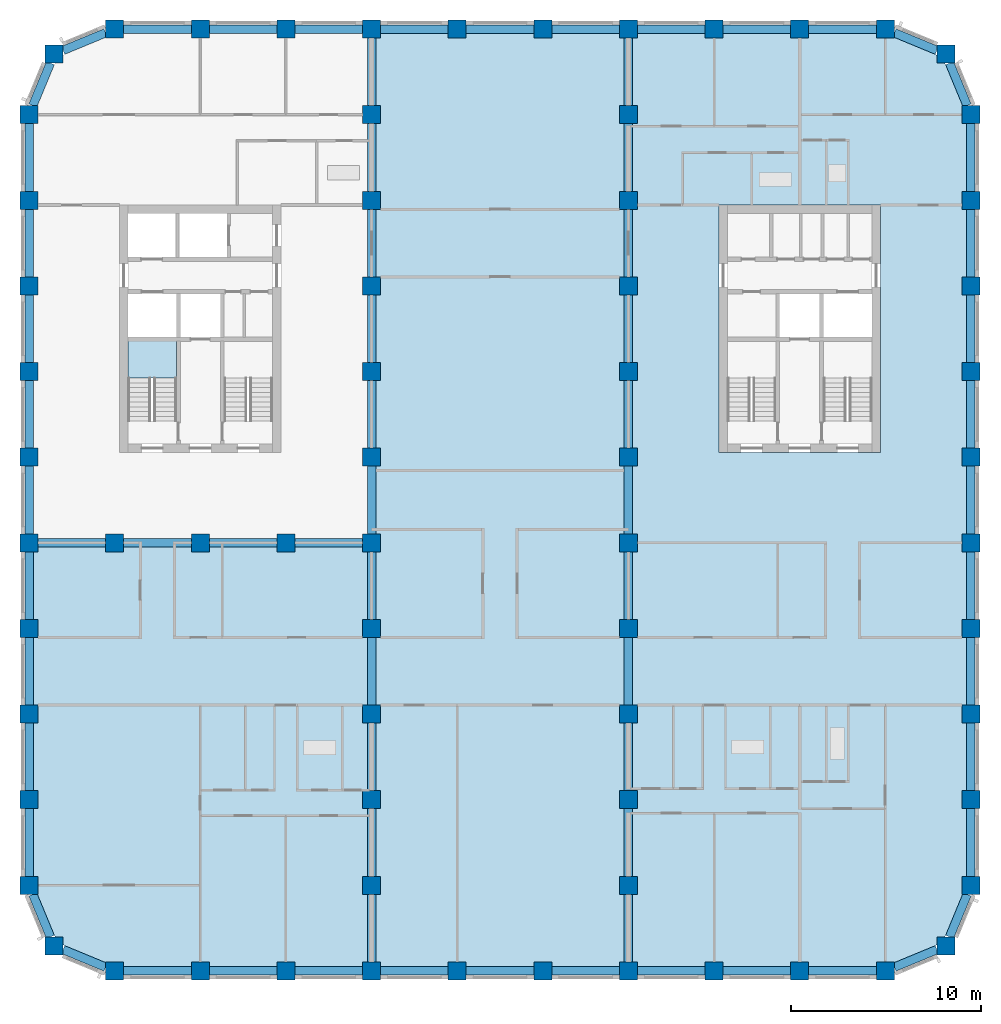
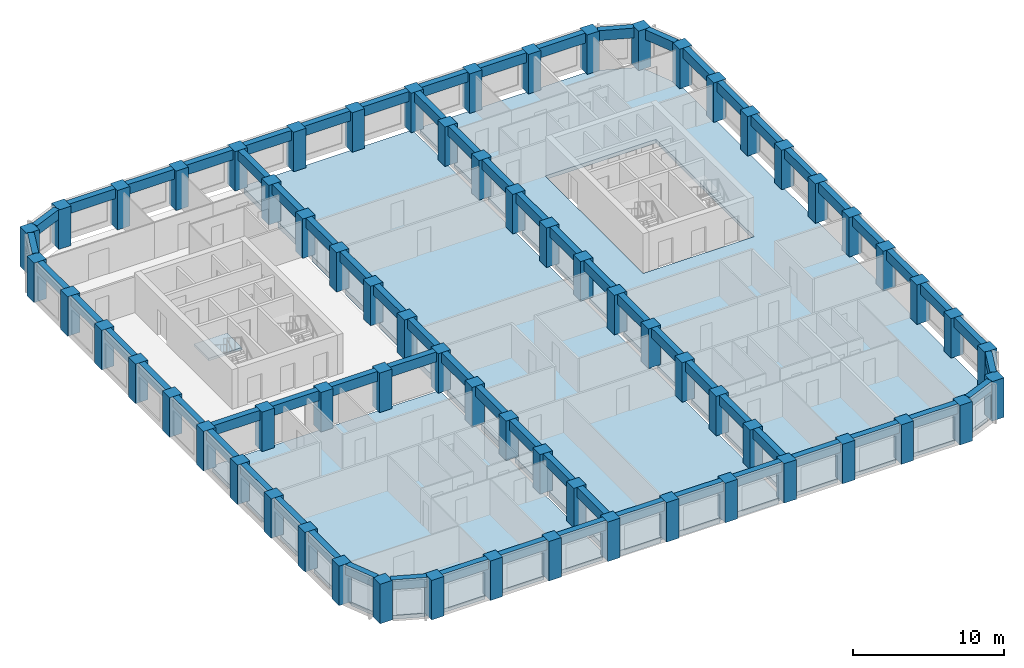
# One storey, part 1 of 12: 70 beams, 67 columns, 4 slabs, 1 element without a shape of its own.
"""IFC4 building model written with IfcOpenShell, lengths in metres."""

from ifc_helpers import new_model, si_unit, direction, frame, origin, origin_2d, place, context, subcontext, project, spatial, polyline, rectangle, outline, extrude, material, layer, layer_set, material_profile, profile_set, type_object, element, aggregate, save


model = new_model("IFC4")

# Units and contexts
model_context = context("Model", 3, precision=1e-05, world=origin(), true_north=direction((0.0, 1.0)))
body_context = subcontext(model_context, "Body", "Model", "MODEL_VIEW")
ifc_project = project(units=[si_unit("LENGTHUNIT", "METRE"), si_unit("AREAUNIT", "SQUARE_METRE"), si_unit("VOLUMEUNIT", "CUBIC_METRE"), si_unit("PLANEANGLEUNIT", "RADIAN"), si_unit("MASSUNIT", "GRAM", prefix="KILO")], contexts=[model_context])

# Site, building, storey
site_placement = place(None, origin())
site = spatial("IfcSite", under=ifc_project, at=site_placement, CompositionType="ELEMENT")
building_placement = place(site_placement, origin())
building = spatial("IfcBuilding", under=site, at=building_placement, Name="Girih Gate Residences", CompositionType="ELEMENT")
storey_placement = place(building_placement, frame((0.0, 0.0, 139.800048828125)))
storey = spatial("IfcBuildingStorey", under=building, at=storey_placement, Name="L39", CompositionType="ELEMENT", Elevation=139.800048828125)

# Columns
ifc_material_1 = material(Name="Concrete C70/85", Category="concrete")
ifc_material_profile_1 = material_profile(ifc_material_1, rectangle(XDim=0.949951171875, YDim=0.949951171875, at=origin_2d()))
ifc_profile_set_1 = profile_set([ifc_material_profile_1], Name="Concrete C70/85")
column_type = type_object("IfcColumnType", Name="Pier RC 950x950 Concrete C70/85", PredefinedType="COLUMN", material=ifc_profile_set_1)
for number, where, z_axis, x_axis, name in (
    (1, (4.5, 0.0, 0.0), (0.0, 0.0, 1.0), (1.0, 0.0, 0.0), "Pier P2A L39"),
    (2, (9.0, 0.0, 0.0), (0.0, 0.0, 1.0), (1.0, 0.0, 0.0), "Pier P3A L39"),
    (3, (13.5, 0.0, 0.0), (0.0, 0.0, 1.0), (1.0, 0.0, 0.0), "Pier P4A L39"),
    (4, (18.0, 0.0, 0.0), (0.0, 0.0, 1.0), (1.0, 0.0, 0.0), "Pier P5A L39"),
    (5, (22.5, 0.0, 0.0), (0.0, 0.0, 1.0), (1.0, 0.0, 0.0), "Pier P6A L39"),
    (6, (27.0, 0.0, 0.0), (0.0, 0.0, 1.0), (1.0, 0.0, 0.0), "Pier P7A L39"),
    (7, (31.5, 0.0, 0.0), (0.0, 0.0, 1.0), (1.0, 0.0, 0.0), "Pier P8A L39"),
    (8, (36.0, 0.0, 0.0), (0.0, 0.0, 1.0), (1.0, 0.0, 0.0), "Pier P9A L39"),
    (9, (40.5, 0.0, 0.0), (0.0, 0.0, 1.0), (1.0, 0.0, 0.0), "Pier P10A L39"),
    (10, (45.0, 0.0, 0.0), (0.0, 0.0, 1.0), (1.0, 0.0, 0.0), "Pier P11A L39"),
    (11, (1.318115234375, 1.318115234375, 0.0), (0.0, 0.0, 1.0), (1.0, 0.0, 0.0), "Pier P1ANE L39"),
    (12, (48.181884765625, 1.318115234375, 0.0), (0.0, 0.0, 1.0), (1.0, 0.0, 0.0), "Pier P12ANW L39"),
    (13, (0.0, 4.5, 0.0), (0.0, 0.0, 1.0), (1.0, 0.0, 0.0), "Pier P1B L39"),
    (14, (18.0, 4.5, 0.0), (0.0, 0.0, 1.0), (1.0, 0.0, 0.0), "Pier P5B L39"),
    (15, (31.5, 4.5, 0.0), (0.0, 0.0, 1.0), (1.0, 0.0, 0.0), "Pier P8B L39"),
    (16, (49.5, 4.5, 0.0), (0.0, 0.0, 1.0), (1.0, 0.0, 0.0), "Pier P12B L39"),
    (17, (0.0, 9.0, 0.0), (0.0, 0.0, 1.0), (1.0, 0.0, 0.0), "Pier P1C L39"),
    (18, (18.0, 9.0, 0.0), (0.0, 0.0, 1.0), (1.0, 0.0, 0.0), "Pier P5C L39"),
    (19, (31.5, 9.0, 0.0), (0.0, 0.0, 1.0), (1.0, 0.0, 0.0), "Pier P8C L39"),
    (20, (49.5, 9.0, 0.0), (0.0, 0.0, 1.0), (1.0, 0.0, 0.0), "Pier P12C L39"),
    (21, (0.0, 13.5, 0.0), (0.0, 0.0, 1.0), (1.0, 0.0, 0.0), "Pier P1D L39"),
    (22, (18.0, 13.5, 0.0), (0.0, 0.0, 1.0), (1.0, 0.0, 0.0), "Pier P5D L39"),
    (23, (31.5, 13.5, 0.0), (0.0, 0.0, 1.0), (1.0, 0.0, 0.0), "Pier P8D L39"),
    (24, (49.5, 13.5, 0.0), (0.0, 0.0, 1.0), (1.0, 0.0, 0.0), "Pier P12D L39"),
    (25, (0.0, 18.0, 0.0), (0.0, 0.0, 1.0), (1.0, 0.0, 0.0), "Pier P1E L39"),
    (26, (18.0, 18.0, 0.0), (0.0, 0.0, 1.0), (1.0, 0.0, 0.0), "Pier P5E L39"),
    (27, (31.5, 18.0, 0.0), (0.0, 0.0, 1.0), (1.0, 0.0, 0.0), "Pier P8E L39"),
    (28, (49.5, 18.0, 0.0), (0.0, 0.0, 1.0), (1.0, 0.0, 0.0), "Pier P12E L39"),
    (29, (0.0, 22.5, 0.0), (0.0, 0.0, 1.0), (1.0, 0.0, 0.0), "Pier P1F L39"),
    (30, (4.5, 22.5, 0.0), (0.0, 0.0, 1.0), (1.0, 0.0, 0.0), "Pier P2F L39"),
    (31, (9.0, 22.5, 0.0), (0.0, 0.0, 1.0), (1.0, 0.0, 0.0), "Pier P3F L39"),
    (32, (13.5, 22.5, 0.0), (0.0, 0.0, 1.0), (1.0, 0.0, 0.0), "Pier P4F L39"),
    (33, (18.0, 22.5, 0.0), (0.0, 0.0, 1.0), (1.0, 0.0, 0.0), "Pier P5F L39"),
    (34, (31.5, 22.5, 0.0), (0.0, 0.0, 1.0), (1.0, 0.0, 0.0), "Pier P8F L39"),
    (35, (49.5, 22.5, 0.0), (0.0, 0.0, 1.0), (1.0, 0.0, 0.0), "Pier P12F L39"),
    (36, (0.0, 27.0, 0.0), (0.0, 0.0, 1.0), (1.0, 0.0, 0.0), "Pier P1G L39"),
    (37, (18.0, 27.0, 0.0), (0.0, 0.0, 1.0), (1.0, 0.0, 0.0), "Pier P5G L39"),
    (38, (31.5, 27.0, 0.0), (0.0, 0.0, 1.0), (1.0, 0.0, 0.0), "Pier P8G L39"),
    (39, (49.5, 27.0, 0.0), (0.0, 0.0, 1.0), (1.0, 0.0, 0.0), "Pier P12G L39"),
    (40, (0.0, 31.5, 0.0), (0.0, 0.0, 1.0), (1.0, 0.0, 0.0), "Pier P1H L39"),
    (41, (18.0, 31.5, 0.0), (0.0, 0.0, 1.0), (1.0, 0.0, 0.0), "Pier P5H L39"),
    (42, (31.5, 31.5, 0.0), (0.0, 0.0, 1.0), (1.0, 0.0, 0.0), "Pier P8H L39"),
    (43, (49.5, 31.5, 0.0), (0.0, 0.0, 1.0), (1.0, 0.0, 0.0), "Pier P12H L39"),
    (44, (0.0, 36.0, 0.0), (0.0, 0.0, 1.0), (1.0, 0.0, 0.0), "Pier P1I L39"),
    (45, (18.0, 36.0, 0.0), (0.0, 0.0, 1.0), (1.0, 0.0, 0.0), "Pier P5I L39"),
    (46, (31.5, 36.0, 0.0), (0.0, 0.0, 1.0), (1.0, 0.0, 0.0), "Pier P8I L39"),
    (47, (49.5, 36.0, 0.0), (0.0, 0.0, 1.0), (1.0, 0.0, 0.0), "Pier P12I L39"),
    (48, (0.0, 40.5, 0.0), (0.0, 0.0, 1.0), (1.0, 0.0, 0.0), "Pier P1J L39"),
    (49, (18.0, 40.5, 0.0), (0.0, 0.0, 1.0), (1.0, 0.0, 0.0), "Pier P5J L39"),
    (50, (31.5, 40.5, 0.0), (0.0, 0.0, 1.0), (1.0, 0.0, 0.0), "Pier P8J L39"),
    (51, (49.5, 40.5, 0.0), (0.0, 0.0, 1.0), (1.0, 0.0, 0.0), "Pier P12J L39"),
    (52, (0.0, 45.0, 0.0), (0.0, 0.0, 1.0), (1.0, 0.0, 0.0), "Pier P1K L39"),
    (53, (18.0, 45.0, 0.0), (0.0, 0.0, 1.0), (1.0, 0.0, 0.0), "Pier P5K L39"),
    (54, (31.5, 45.0, 0.0), (0.0, 0.0, 1.0), (1.0, 0.0, 0.0), "Pier P8K L39"),
    (55, (49.5, 45.0, 0.0), (0.0, 0.0, 1.0), (1.0, 0.0, 0.0), "Pier P12K L39"),
    (56, (1.318115234375, 48.181884765625, 0.0), (0.0, 0.0, 1.0), (1.0, 0.0, 0.0), "Pier P1LSE L39"),
    (57, (48.181884765625, 48.181884765625, 0.0), (0.0, 0.0, 1.0), (1.0, 0.0, 0.0), "Pier P12LSW L39"),
    (58, (4.5, 49.5, 0.0), (0.0, 0.0, 1.0), (1.0, 0.0, 0.0), "Pier P2L L39"),
    (59, (9.0, 49.5, 0.0), (0.0, 0.0, 1.0), (1.0, 0.0, 0.0), "Pier P3L L39"),
    (60, (13.5, 49.5, 0.0), (0.0, 0.0, 1.0), (1.0, 0.0, 0.0), "Pier P4L L39"),
    (61, (18.0, 49.5, 0.0), (0.0, 0.0, 1.0), (1.0, 0.0, 0.0), "Pier P5L L39"),
    (62, (22.5, 49.5, 0.0), (0.0, 0.0, 1.0), (1.0, 0.0, 0.0), "Pier P6L L39"),
    (63, (27.0, 49.5, 0.0), (0.0, 0.0, 1.0), (1.0, 0.0, 0.0), "Pier P7L L39"),
    (64, (31.5, 49.5, 0.0), (0.0, 0.0, 1.0), (1.0, 0.0, 0.0), "Pier P8L L39"),
    (65, (36.0, 49.5, 0.0), (0.0, 0.0, 1.0), (1.0, 0.0, 0.0), "Pier P9L L39"),
    (66, (40.5, 49.5, 0.0), (0.0, 0.0, 1.0), (1.0, 0.0, 0.0), "Pier P10L L39"),
    (67, (45.0, 49.5, 0.0), (0.0, 0.0, 1.0), (1.0, 0.0, 0.0), "Pier P11L L39"),
):
    element("IfcColumn", number, at=place(storey_placement, frame(where, z_axis=z_axis, x_axis=x_axis)), inside=storey, type_object=column_type, Name=name, PredefinedType="COLUMN", context=body_context, shape_type="SweptSolid", body=[
        extrude(rectangle(XDim=0.949951171875, YDim=0.949951171875, at=origin_2d()), origin(), (0.0, 0.0, 1.0), 3.199951171875),
    ])

# Beams
ifc_material_2 = material(Name="Concrete C60/75", Category="concrete")
ifc_material_profile_2 = material_profile(ifc_material_2, rectangle(XDim=0.449951171875, YDim=0.800048828125, at=origin_2d()))
ifc_profile_set_2 = profile_set([ifc_material_profile_2], Name="Concrete C60/75")
beam_type = type_object("IfcBeamType", Name="Spandrel girder RC 450x800 Concrete C60/75", PredefinedType="BEAM", material=ifc_profile_set_2)
for number, where, z_axis, x_axis, name in (
    (68, (0.19677734375, 4.02490234375, 2.800048828125), (0.382705825988, -0.923870256451, 0.0), (0.923870256451, 0.382705825988, 0.0), "Spandrel girder SP-P1B-P1ANE L39"),
    (69, (1.79296875, 1.121337890625, 2.800048828125), (0.923870256451, -0.382705825988, 0.0), (0.382705825988, 0.923870256451, 0.0), "Spandrel girder SP-P1ANE-P2A L39"),
):
    element("IfcBeam", number, at=place(storey_placement, frame(where, z_axis=z_axis, x_axis=x_axis)), inside=storey, type_object=beam_type, Name=name, PredefinedType="BEAM", context=body_context, shape_type="SweptSolid", body=[
        extrude(rectangle(XDim=0.449951171875, YDim=0.800048828125, at=origin_2d()), origin(), (0.0, 0.0, 1.0), 2.415771484375),
    ])
for number, where, z_axis, x_axis, name in (
    (70, (4.97509765625, 0.0, 2.800048828125), (1.0, 0.0, 0.0), (0.0, 1.0, 0.0), "Spandrel girder SP-P2A-P3A L39"),
    (71, (9.47509765625, 0.0, 2.800048828125), (1.0, 0.0, 0.0), (0.0, 1.0, 0.0), "Spandrel girder SP-P3A-P4A L39"),
    (72, (13.97509765625, 0.0, 2.800048828125), (1.0, 0.0, 0.0), (0.0, 1.0, 0.0), "Spandrel girder SP-P4A-P5A L39"),
    (73, (18.47509765625, 0.0, 2.800048828125), (1.0, 0.0, 0.0), (0.0, 1.0, 0.0), "Spandrel girder SP-P5A-P6A L39"),
    (74, (22.97509765625, 0.0, 2.800048828125), (1.0, 0.0, 0.0), (0.0, 1.0, 0.0), "Spandrel girder SP-P6A-P7A L39"),
    (75, (27.47509765625, 0.0, 2.800048828125), (1.0, 0.0, 0.0), (0.0, 1.0, 0.0), "Spandrel girder SP-P7A-P8A L39"),
    (76, (31.97509765625, 0.0, 2.800048828125), (1.0, 0.0, 0.0), (0.0, 1.0, 0.0), "Spandrel girder SP-P8A-P9A L39"),
    (77, (36.47509765625, 0.0, 2.800048828125), (1.0, 0.0, 0.0), (0.0, 1.0, 0.0), "Spandrel girder SP-P9A-P10A L39"),
    (78, (40.97509765625, 0.0, 2.800048828125), (1.0, 0.0, 0.0), (0.0, 1.0, 0.0), "Spandrel girder SP-P10A-P11A L39"),
):
    element("IfcBeam", number, at=place(storey_placement, frame(where, z_axis=z_axis, x_axis=x_axis)), inside=storey, type_object=beam_type, Name=name, PredefinedType="BEAM", context=body_context, shape_type="SweptSolid", body=[
        extrude(rectangle(XDim=0.449951171875, YDim=0.800048828125, at=origin_2d()), origin(), (0.0, 0.0, 1.0), 3.5498046875),
    ])
for number, where, z_axis, x_axis, name in (
    (79, (45.47509765625, 0.19677734375, 2.800048828125), (0.923870256451, 0.382705825988, 0.0), (-0.382705825988, 0.923870256451, 0.0), "Spandrel girder SP-P11A-P12ANW L39"),
    (80, (48.378662109375, 1.79296875, 2.800048828125), (0.382705825988, 0.923870256451, 0.0), (-0.923870256451, 0.382705825988, 0.0), "Spandrel girder SP-P12ANW-P12B L39"),
):
    element("IfcBeam", number, at=place(storey_placement, frame(where, z_axis=z_axis, x_axis=x_axis)), inside=storey, type_object=beam_type, Name=name, PredefinedType="BEAM", context=body_context, shape_type="SweptSolid", body=[
        extrude(rectangle(XDim=0.449951171875, YDim=0.800048828125, at=origin_2d()), origin(), (0.0, 0.0, 1.0), 2.415771484375),
    ])
for number, where, z_axis, x_axis, name in (
    (81, (49.5, 4.97509765625, 2.800048828125), (0.0, 1.0, 0.0), (-1.0, 0.0, 0.0), "Spandrel girder SP-P12B-P12C L39"),
    (82, (49.5, 9.47509765625, 2.800048828125), (0.0, 1.0, 0.0), (-1.0, 0.0, 0.0), "Spandrel girder SP-P12C-P12D L39"),
    (83, (49.5, 13.97509765625, 2.800048828125), (0.0, 1.0, 0.0), (-1.0, 0.0, 0.0), "Spandrel girder SP-P12D-P12E L39"),
    (84, (49.5, 18.47509765625, 2.800048828125), (0.0, 1.0, 0.0), (-1.0, 0.0, 0.0), "Spandrel girder SP-P12E-P12F L39"),
    (85, (49.5, 22.97509765625, 2.800048828125), (0.0, 1.0, 0.0), (-1.0, 0.0, 0.0), "Spandrel girder SP-P12F-P12G L39"),
    (86, (49.5, 27.47509765625, 2.800048828125), (0.0, 1.0, 0.0), (-1.0, 0.0, 0.0), "Spandrel girder SP-P12G-P12H L39"),
    (87, (49.5, 31.97509765625, 2.800048828125), (0.0, 1.0, 0.0), (-1.0, 0.0, 0.0), "Spandrel girder SP-P12H-P12I L39"),
    (88, (49.5, 36.47509765625, 2.800048828125), (0.0, 1.0, 0.0), (-1.0, 0.0, 0.0), "Spandrel girder SP-P12I-P12J L39"),
    (89, (49.5, 40.97509765625, 2.800048828125), (0.0, 1.0, 0.0), (-1.0, 0.0, 0.0), "Spandrel girder SP-P12J-P12K L39"),
):
    element("IfcBeam", number, at=place(storey_placement, frame(where, z_axis=z_axis, x_axis=x_axis)), inside=storey, type_object=beam_type, Name=name, PredefinedType="BEAM", context=body_context, shape_type="SweptSolid", body=[
        extrude(rectangle(XDim=0.449951171875, YDim=0.800048828125, at=origin_2d()), origin(), (0.0, 0.0, 1.0), 3.5498046875),
    ])
for number, where, z_axis, x_axis, name in (
    (90, (49.30322265625, 45.47509765625, 2.800048828125), (-0.382705825988, 0.923870256451, 0.0), (-0.923870256451, -0.382705825988, 0.0), "Spandrel girder SP-P12K-P12LSW L39"),
    (91, (47.70703125, 48.378662109375, 2.800048828125), (-0.923870256451, 0.382705825988, 0.0), (-0.382705825988, -0.923870256451, 0.0), "Spandrel girder SP-P12LSW-P11L L39"),
):
    element("IfcBeam", number, at=place(storey_placement, frame(where, z_axis=z_axis, x_axis=x_axis)), inside=storey, type_object=beam_type, Name=name, PredefinedType="BEAM", context=body_context, shape_type="SweptSolid", body=[
        extrude(rectangle(XDim=0.449951171875, YDim=0.800048828125, at=origin_2d()), origin(), (0.0, 0.0, 1.0), 2.415771484375),
    ])
for number, where, z_axis, x_axis, name in (
    (92, (44.52490234375, 49.5, 2.800048828125), (-1.0, 0.0, 0.0), (0.0, -1.0, 0.0), "Spandrel girder SP-P11L-P10L L39"),
    (93, (40.02490234375, 49.5, 2.800048828125), (-1.0, 0.0, 0.0), (0.0, -1.0, 0.0), "Spandrel girder SP-P10L-P9L L39"),
    (94, (35.52490234375, 49.5, 2.800048828125), (-1.0, 0.0, 0.0), (0.0, -1.0, 0.0), "Spandrel girder SP-P9L-P8L L39"),
    (95, (31.02490234375, 49.5, 2.800048828125), (-1.0, 0.0, 0.0), (0.0, -1.0, 0.0), "Spandrel girder SP-P8L-P7L L39"),
    (96, (26.52490234375, 49.5, 2.800048828125), (-1.0, 0.0, 0.0), (0.0, -1.0, 0.0), "Spandrel girder SP-P7L-P6L L39"),
    (97, (22.02490234375, 49.5, 2.800048828125), (-1.0, 0.0, 0.0), (0.0, -1.0, 0.0), "Spandrel girder SP-P6L-P5L L39"),
    (98, (17.52490234375, 49.5, 2.800048828125), (-1.0, 0.0, 0.0), (0.0, -1.0, 0.0), "Spandrel girder SP-P5L-P4L L39"),
    (99, (13.02490234375, 49.5, 2.800048828125), (-1.0, 0.0, 0.0), (0.0, -1.0, 0.0), "Spandrel girder SP-P4L-P3L L39"),
    (100, (8.52490234375, 49.5, 2.800048828125), (-1.0, 0.0, 0.0), (0.0, -1.0, 0.0), "Spandrel girder SP-P3L-P2L L39"),
):
    element("IfcBeam", number, at=place(storey_placement, frame(where, z_axis=z_axis, x_axis=x_axis)), inside=storey, type_object=beam_type, Name=name, PredefinedType="BEAM", context=body_context, shape_type="SweptSolid", body=[
        extrude(rectangle(XDim=0.449951171875, YDim=0.800048828125, at=origin_2d()), origin(), (0.0, 0.0, 1.0), 3.5498046875),
    ])
for number, where, z_axis, x_axis, name in (
    (101, (4.02490234375, 49.30322265625, 2.800048828125), (-0.923870256451, -0.382705825988, 0.0), (0.382705825988, -0.923870256451, 0.0), "Spandrel girder SP-P2L-P1LSE L39"),
    (102, (1.121337890625, 47.70703125, 2.800048828125), (-0.382705825988, -0.923870256451, 0.0), (0.923870256451, -0.382705825988, 0.0), "Spandrel girder SP-P1LSE-P1K L39"),
):
    element("IfcBeam", number, at=place(storey_placement, frame(where, z_axis=z_axis, x_axis=x_axis)), inside=storey, type_object=beam_type, Name=name, PredefinedType="BEAM", context=body_context, shape_type="SweptSolid", body=[
        extrude(rectangle(XDim=0.449951171875, YDim=0.800048828125, at=origin_2d()), origin(), (0.0, 0.0, 1.0), 2.415771484375),
    ])
for number, where, z_axis, x_axis, name in (
    (103, (0.0, 44.52490234375, 2.800048828125), (0.0, -1.0, 0.0), (1.0, 0.0, 0.0), "Spandrel girder SP-P1K-P1J L39"),
    (104, (0.0, 40.02490234375, 2.800048828125), (0.0, -1.0, 0.0), (1.0, 0.0, 0.0), "Spandrel girder SP-P1J-P1I L39"),
    (105, (0.0, 35.52490234375, 2.800048828125), (0.0, -1.0, 0.0), (1.0, 0.0, 0.0), "Spandrel girder SP-P1I-P1H L39"),
    (106, (0.0, 31.02490234375, 2.800048828125), (0.0, -1.0, 0.0), (1.0, 0.0, 0.0), "Spandrel girder SP-P1H-P1G L39"),
    (107, (0.0, 26.52490234375, 2.800048828125), (0.0, -1.0, 0.0), (1.0, 0.0, 0.0), "Spandrel girder SP-P1G-P1F L39"),
    (108, (0.0, 22.02490234375, 2.800048828125), (0.0, -1.0, 0.0), (1.0, 0.0, 0.0), "Spandrel girder SP-P1F-P1E L39"),
    (109, (0.0, 17.52490234375, 2.800048828125), (0.0, -1.0, 0.0), (1.0, 0.0, 0.0), "Spandrel girder SP-P1E-P1D L39"),
    (110, (0.0, 13.02490234375, 2.800048828125), (0.0, -1.0, 0.0), (1.0, 0.0, 0.0), "Spandrel girder SP-P1D-P1C L39"),
    (111, (0.0, 8.52490234375, 2.800048828125), (0.0, -1.0, 0.0), (1.0, 0.0, 0.0), "Spandrel girder SP-P1C-P1B L39"),
    (112, (18.0, 0.47509765625, 2.800048828125), (0.0, 1.0, 0.0), (-1.0, 0.0, 0.0), "Spandrel girder SP-P5A-P5B L39"),
    (113, (18.0, 4.97509765625, 2.800048828125), (0.0, 1.0, 0.0), (-1.0, 0.0, 0.0), "Spandrel girder SP-P5B-P5C L39"),
    (114, (18.0, 9.47509765625, 2.800048828125), (0.0, 1.0, 0.0), (-1.0, 0.0, 0.0), "Spandrel girder SP-P5C-P5D L39"),
    (115, (18.0, 13.97509765625, 2.800048828125), (0.0, 1.0, 0.0), (-1.0, 0.0, 0.0), "Spandrel girder SP-P5D-P5E L39"),
    (116, (18.0, 18.47509765625, 2.800048828125), (0.0, 1.0, 0.0), (-1.0, 0.0, 0.0), "Spandrel girder SP-P5E-P5F L39"),
    (117, (18.0, 22.97509765625, 2.800048828125), (0.0, 1.0, 0.0), (-1.0, 0.0, 0.0), "Spandrel girder SP-P5F-P5G L39"),
    (118, (18.0, 27.47509765625, 2.800048828125), (0.0, 1.0, 0.0), (-1.0, 0.0, 0.0), "Spandrel girder SP-P5G-P5H L39"),
    (119, (18.0, 31.97509765625, 2.800048828125), (0.0, 1.0, 0.0), (-1.0, 0.0, 0.0), "Spandrel girder SP-P5H-P5I L39"),
    (120, (18.0, 36.47509765625, 2.800048828125), (0.0, 1.0, 0.0), (-1.0, 0.0, 0.0), "Spandrel girder SP-P5I-P5J L39"),
    (121, (18.0, 40.97509765625, 2.800048828125), (0.0, 1.0, 0.0), (-1.0, 0.0, 0.0), "Spandrel girder SP-P5J-P5K L39"),
    (122, (18.0, 45.47509765625, 2.800048828125), (0.0, 1.0, 0.0), (-1.0, 0.0, 0.0), "Spandrel girder SP-P5K-P5L L39"),
    (123, (31.5, 0.47509765625, 2.800048828125), (0.0, 1.0, 0.0), (-1.0, 0.0, 0.0), "Spandrel girder SP-P8A-P8B L39"),
    (124, (31.5, 4.97509765625, 2.800048828125), (0.0, 1.0, 0.0), (-1.0, 0.0, 0.0), "Spandrel girder SP-P8B-P8C L39"),
    (125, (31.5, 9.47509765625, 2.800048828125), (0.0, 1.0, 0.0), (-1.0, 0.0, 0.0), "Spandrel girder SP-P8C-P8D L39"),
    (126, (31.5, 13.97509765625, 2.800048828125), (0.0, 1.0, 0.0), (-1.0, 0.0, 0.0), "Spandrel girder SP-P8D-P8E L39"),
    (127, (31.5, 18.47509765625, 2.800048828125), (0.0, 1.0, 0.0), (-1.0, 0.0, 0.0), "Spandrel girder SP-P8E-P8F L39"),
    (128, (31.5, 22.97509765625, 2.800048828125), (0.0, 1.0, 0.0), (-1.0, 0.0, 0.0), "Spandrel girder SP-P8F-P8G L39"),
    (129, (31.5, 27.47509765625, 2.800048828125), (0.0, 1.0, 0.0), (-1.0, 0.0, 0.0), "Spandrel girder SP-P8G-P8H L39"),
    (130, (31.5, 31.97509765625, 2.800048828125), (0.0, 1.0, 0.0), (-1.0, 0.0, 0.0), "Spandrel girder SP-P8H-P8I L39"),
    (131, (31.5, 36.47509765625, 2.800048828125), (0.0, 1.0, 0.0), (-1.0, 0.0, 0.0), "Spandrel girder SP-P8I-P8J L39"),
    (132, (31.5, 40.97509765625, 2.800048828125), (0.0, 1.0, 0.0), (-1.0, 0.0, 0.0), "Spandrel girder SP-P8J-P8K L39"),
    (133, (31.5, 45.47509765625, 2.800048828125), (0.0, 1.0, 0.0), (-1.0, 0.0, 0.0), "Spandrel girder SP-P8K-P8L L39"),
    (134, (0.47509765625, 22.5, 2.800048828125), (1.0, 0.0, 0.0), (0.0, 1.0, 0.0), "Spandrel girder SP-P1F-P2F L39"),
    (135, (4.97509765625, 22.5, 2.800048828125), (1.0, 0.0, 0.0), (0.0, 1.0, 0.0), "Spandrel girder SP-P2F-P3F L39"),
    (136, (9.47509765625, 22.5, 2.800048828125), (1.0, 0.0, 0.0), (0.0, 1.0, 0.0), "Spandrel girder SP-P3F-P4F L39"),
    (137, (13.97509765625, 22.5, 2.800048828125), (1.0, 0.0, 0.0), (0.0, 1.0, 0.0), "Spandrel girder SP-P4F-P5F L39"),
):
    element("IfcBeam", number, at=place(storey_placement, frame(where, z_axis=z_axis, x_axis=x_axis)), inside=storey, type_object=beam_type, Name=name, PredefinedType="BEAM", context=body_context, shape_type="SweptSolid", body=[
        extrude(rectangle(XDim=0.449951171875, YDim=0.800048828125, at=origin_2d()), origin(), (0.0, 0.0, 1.0), 3.5498046875),
    ])

# Slabs
ifc_material_3 = material(Name="Concrete C40/50", Category="concrete")
ifc_layer_1 = layer(ifc_material_3, 0.300048828125)
ifc_layer_set_1 = layer_set([ifc_layer_1], Name="Floor slab PT 300 Concrete C40/50")
slab_type_1 = type_object("IfcSlabType", Name="Floor slab PT 300 Concrete C40/50", PredefinedType="FLOOR", material=ifc_layer_set_1)
slab_1_placement = place(storey_placement, frame((0.0, 0.0, -0.300048828125)))
element("IfcSlab", 138, at=slab_1_placement, inside=storey, type_object=slab_type_1, Name="Floor slab L39 0", PredefinedType="FLOOR", context=body_context, shape_type="SweptSolid", body=[
    extrude(outline(polyline([(0.22509765625, 8.52490234375), (0.22509765625, 4.97509765625), (0.47509765625, 4.97509765625), (0.47509765625, 4.02490234375), (0.440185546875, 4.02490234375), (1.36474609375, 1.79296875), (1.79296875, 1.79296875), (1.79296875, 1.36474609375), (4.02490234375, 0.440185546875), (4.02490234375, 0.47509765625), (4.97509765625, 0.47509765625), (4.97509765625, 0.22509765625), (8.52490234375, 0.22509765625), (8.52490234375, 0.47509765625), (9.47509765625, 0.47509765625), (9.47509765625, 0.22509765625), (13.02490234375, 0.22509765625), (13.02490234375, 0.47509765625), (13.97509765625, 0.47509765625), (13.97509765625, 0.22509765625), (17.52490234375, 0.22509765625), (17.52490234375, 0.47509765625), (17.77490234375, 0.47509765625), (17.77490234375, 4.02490234375), (17.52490234375, 4.02490234375), (17.52490234375, 4.97509765625), (17.77490234375, 4.97509765625), (17.77490234375, 8.52490234375), (17.52490234375, 8.52490234375), (17.52490234375, 9.47509765625), (17.77490234375, 9.47509765625), (17.77490234375, 13.02490234375), (17.52490234375, 13.02490234375), (17.52490234375, 13.97509765625), (17.77490234375, 13.97509765625), (17.77490234375, 17.52490234375), (17.52490234375, 17.52490234375), (17.52490234375, 18.47509765625), (17.77490234375, 18.47509765625), (17.77490234375, 22.02490234375), (17.52490234375, 22.02490234375), (17.52490234375, 22.27490234375), (13.97509765625, 22.27490234375), (13.97509765625, 22.02490234375), (13.02490234375, 22.02490234375), (13.02490234375, 22.27490234375), (9.47509765625, 22.27490234375), (9.47509765625, 22.02490234375), (8.52490234375, 22.02490234375), (8.52490234375, 22.27490234375), (4.97509765625, 22.27490234375), (4.97509765625, 22.02490234375), (4.02490234375, 22.02490234375), (4.02490234375, 22.27490234375), (0.47509765625, 22.27490234375), (0.47509765625, 22.02490234375), (0.22509765625, 22.02490234375), (0.22509765625, 18.47509765625), (0.47509765625, 18.47509765625), (0.47509765625, 17.52490234375), (0.22509765625, 17.52490234375), (0.22509765625, 13.97509765625), (0.47509765625, 13.97509765625), (0.47509765625, 13.02490234375), (0.22509765625, 13.02490234375), (0.22509765625, 9.47509765625), (0.47509765625, 9.47509765625), (0.47509765625, 8.52490234375), (0.22509765625, 8.52490234375)])), origin(), (0.0, 0.0, 1.0), 0.300048828125),
])
slab_2_placement = place(storey_placement, frame((0.0, 0.0, -0.300048828125)))
element("IfcSlab", 139, at=slab_2_placement, inside=storey, type_object=slab_type_1, Name="Floor slab L39 1", PredefinedType="FLOOR", context=body_context, shape_type="SweptSolid", body=[
    extrude(outline(polyline([(35.52490234375, 49.27490234375), (31.97509765625, 49.27490234375), (31.97509765625, 49.02490234375), (31.72509765625, 49.02490234375), (31.72509765625, 45.47509765625), (31.97509765625, 45.47509765625), (31.97509765625, 44.52490234375), (31.72509765625, 44.52490234375), (31.72509765625, 40.97509765625), (31.97509765625, 40.97509765625), (31.97509765625, 40.02490234375), (31.72509765625, 40.02490234375), (31.72509765625, 36.47509765625), (31.97509765625, 36.47509765625), (31.97509765625, 35.52490234375), (31.72509765625, 35.52490234375), (31.72509765625, 31.97509765625), (31.97509765625, 31.97509765625), (31.97509765625, 31.02490234375), (31.72509765625, 31.02490234375), (31.72509765625, 27.47509765625), (31.97509765625, 27.47509765625), (31.97509765625, 26.52490234375), (31.72509765625, 26.52490234375), (31.72509765625, 22.97509765625), (31.97509765625, 22.97509765625), (31.97509765625, 22.02490234375), (31.72509765625, 22.02490234375), (31.72509765625, 18.47509765625), (31.97509765625, 18.47509765625), (31.97509765625, 17.52490234375), (31.72509765625, 17.52490234375), (31.72509765625, 13.97509765625), (31.97509765625, 13.97509765625), (31.97509765625, 13.02490234375), (31.72509765625, 13.02490234375), (31.72509765625, 9.47509765625), (31.97509765625, 9.47509765625), (31.97509765625, 8.52490234375), (31.72509765625, 8.52490234375), (31.72509765625, 4.97509765625), (31.97509765625, 4.97509765625), (31.97509765625, 4.02490234375), (31.72509765625, 4.02490234375), (31.72509765625, 0.47509765625), (31.97509765625, 0.47509765625), (31.97509765625, 0.22509765625), (35.52490234375, 0.22509765625), (35.52490234375, 0.47509765625), (36.47509765625, 0.47509765625), (36.47509765625, 0.22509765625), (40.02490234375, 0.22509765625), (40.02490234375, 0.47509765625), (40.97509765625, 0.47509765625), (40.97509765625, 0.22509765625), (44.52490234375, 0.22509765625), (44.52490234375, 0.47509765625), (45.47509765625, 0.47509765625), (45.47509765625, 0.440185546875), (47.70703125, 1.36474609375), (47.70703125, 1.79296875), (48.13525390625, 1.79296875), (49.059814453125, 4.02490234375), (49.02490234375, 4.02490234375), (49.02490234375, 4.97509765625), (49.27490234375, 4.97509765625), (49.27490234375, 8.52490234375), (49.02490234375, 8.52490234375), (49.02490234375, 9.47509765625), (49.27490234375, 9.47509765625), (49.27490234375, 13.02490234375), (49.02490234375, 13.02490234375), (49.02490234375, 13.97509765625), (49.27490234375, 13.97509765625), (49.27490234375, 17.52490234375), (49.02490234375, 17.52490234375), (49.02490234375, 18.47509765625), (49.27490234375, 18.47509765625), (49.27490234375, 22.02490234375), (49.02490234375, 22.02490234375), (49.02490234375, 22.97509765625), (49.27490234375, 22.97509765625), (49.27490234375, 26.52490234375), (49.02490234375, 26.52490234375), (49.02490234375, 27.47509765625), (49.27490234375, 27.47509765625), (49.27490234375, 31.02490234375), (49.02490234375, 31.02490234375), (49.02490234375, 31.97509765625), (49.27490234375, 31.97509765625), (49.27490234375, 35.52490234375), (49.02490234375, 35.52490234375), (49.02490234375, 36.47509765625), (49.27490234375, 36.47509765625), (49.27490234375, 40.02490234375), (49.02490234375, 40.02490234375), (49.02490234375, 40.97509765625), (49.27490234375, 40.97509765625), (49.27490234375, 44.52490234375), (49.02490234375, 44.52490234375), (49.02490234375, 45.47509765625), (49.059814453125, 45.47509765625), (48.13525390625, 47.70703125), (47.70703125, 47.70703125), (47.70703125, 48.13525390625), (45.47509765625, 49.059814453125), (45.47509765625, 49.02490234375), (44.52490234375, 49.02490234375), (44.52490234375, 49.27490234375), (40.97509765625, 49.27490234375), (40.97509765625, 49.02490234375), (40.02490234375, 49.02490234375), (40.02490234375, 49.27490234375), (36.47509765625, 49.27490234375), (36.47509765625, 49.02490234375), (35.52490234375, 49.02490234375), (35.52490234375, 49.27490234375)]), holes=[polyline([(44.75, 40.25), (44.75, 27.25), (36.25, 27.25), (36.25, 40.25), (44.75, 40.25)])]), origin(), (0.0, 0.0, 1.0), 0.300048828125),
])
ifc_layer_2 = layer(ifc_material_3, 0.449951171875)
ifc_layer_set_2 = layer_set([ifc_layer_2], Name="Floor slab PT 450 Concrete C40/50")
slab_type_2 = type_object("IfcSlabType", Name="Floor slab PT 450 Concrete C40/50", PredefinedType="FLOOR", material=ifc_layer_set_2)
slab_3_placement = place(storey_placement, frame((0.0, 0.0, -0.449951171875)))
element("IfcSlab", 140, at=slab_3_placement, inside=storey, type_object=slab_type_2, Name="Floor slab L39 2", PredefinedType="FLOOR", context=body_context, shape_type="SweptSolid", body=[
    extrude(outline(polyline([(22.02490234375, 49.27490234375), (18.47509765625, 49.27490234375), (18.47509765625, 49.02490234375), (18.22509765625, 49.02490234375), (18.22509765625, 45.47509765625), (18.47509765625, 45.47509765625), (18.47509765625, 44.52490234375), (18.22509765625, 44.52490234375), (18.22509765625, 40.97509765625), (18.47509765625, 40.97509765625), (18.47509765625, 40.02490234375), (18.22509765625, 40.02490234375), (18.22509765625, 36.47509765625), (18.47509765625, 36.47509765625), (18.47509765625, 35.52490234375), (18.22509765625, 35.52490234375), (18.22509765625, 31.97509765625), (18.47509765625, 31.97509765625), (18.47509765625, 31.02490234375), (18.22509765625, 31.02490234375), (18.22509765625, 27.47509765625), (18.47509765625, 27.47509765625), (18.47509765625, 26.52490234375), (18.22509765625, 26.52490234375), (18.22509765625, 22.97509765625), (18.47509765625, 22.97509765625), (18.47509765625, 22.02490234375), (18.22509765625, 22.02490234375), (18.22509765625, 18.47509765625), (18.47509765625, 18.47509765625), (18.47509765625, 17.52490234375), (18.22509765625, 17.52490234375), (18.22509765625, 13.97509765625), (18.47509765625, 13.97509765625), (18.47509765625, 13.02490234375), (18.22509765625, 13.02490234375), (18.22509765625, 9.47509765625), (18.47509765625, 9.47509765625), (18.47509765625, 8.52490234375), (18.22509765625, 8.52490234375), (18.22509765625, 4.97509765625), (18.47509765625, 4.97509765625), (18.47509765625, 4.02490234375), (18.22509765625, 4.02490234375), (18.22509765625, 0.47509765625), (18.47509765625, 0.47509765625), (18.47509765625, 0.22509765625), (22.02490234375, 0.22509765625), (22.02490234375, 0.47509765625), (22.97509765625, 0.47509765625), (22.97509765625, 0.22509765625), (26.52490234375, 0.22509765625), (26.52490234375, 0.47509765625), (27.47509765625, 0.47509765625), (27.47509765625, 0.22509765625), (31.02490234375, 0.22509765625), (31.02490234375, 0.47509765625), (31.27490234375, 0.47509765625), (31.27490234375, 4.02490234375), (31.02490234375, 4.02490234375), (31.02490234375, 4.97509765625), (31.27490234375, 4.97509765625), (31.27490234375, 8.52490234375), (31.02490234375, 8.52490234375), (31.02490234375, 9.47509765625), (31.27490234375, 9.47509765625), (31.27490234375, 13.02490234375), (31.02490234375, 13.02490234375), (31.02490234375, 13.97509765625), (31.27490234375, 13.97509765625), (31.27490234375, 17.52490234375), (31.02490234375, 17.52490234375), (31.02490234375, 18.47509765625), (31.27490234375, 18.47509765625), (31.27490234375, 22.02490234375), (31.02490234375, 22.02490234375), (31.02490234375, 22.97509765625), (31.27490234375, 22.97509765625), (31.27490234375, 26.52490234375), (31.02490234375, 26.52490234375), (31.02490234375, 27.47509765625), (31.27490234375, 27.47509765625), (31.27490234375, 31.02490234375), (31.02490234375, 31.02490234375), (31.02490234375, 31.97509765625), (31.27490234375, 31.97509765625), (31.27490234375, 35.52490234375), (31.02490234375, 35.52490234375), (31.02490234375, 36.47509765625), (31.27490234375, 36.47509765625), (31.27490234375, 40.02490234375), (31.02490234375, 40.02490234375), (31.02490234375, 40.97509765625), (31.27490234375, 40.97509765625), (31.27490234375, 44.52490234375), (31.02490234375, 44.52490234375), (31.02490234375, 45.47509765625), (31.27490234375, 45.47509765625), (31.27490234375, 49.02490234375), (31.02490234375, 49.02490234375), (31.02490234375, 49.27490234375), (27.47509765625, 49.27490234375), (27.47509765625, 49.02490234375), (26.52490234375, 49.02490234375), (26.52490234375, 49.27490234375), (22.97509765625, 49.27490234375), (22.97509765625, 49.02490234375), (22.02490234375, 49.02490234375), (22.02490234375, 49.27490234375)])), origin(), (0.0, 0.0, 1.0), 0.449951171875),
])

# Stair, slab
stair_type = type_object("IfcStairType", Name="Exit stair", PredefinedType="HALF_TURN_STAIR", material=ifc_material_3)
stair_placement = place(storey_placement, origin())
stair = element("IfcStair", 141, at=stair_placement, inside=storey, type_object=stair_type, Name="L39 Exit Stair ST-W1", PredefinedType="HALF_TURN_STAIR")
ifc_layer_3 = layer(ifc_material_3, 0.199951171875)
ifc_layer_set_3 = layer_set([ifc_layer_3], Name="Stair landing 200")
slab_type_3 = type_object("IfcSlabType", Name="Stair landing 200", PredefinedType="LANDING", material=ifc_layer_set_3)
slab_4_placement = place(storey_placement, frame((0.0, 0.0, 1.39990234375)))
slab_4 = element("IfcSlab", 142, at=slab_4_placement, type_object=slab_type_3, Name="ST-W1 landing 1", PredefinedType="LANDING", context=body_context, shape_type="SweptSolid", body=[
    extrude(outline(polyline([(7.75, 31.14990234375), (7.75, 33.10009765625), (5.199951171875, 33.10009765625), (5.199951171875, 31.14990234375), (7.75, 31.14990234375)])), origin(), (0.0, 0.0, 1.0), 0.199951171875),
])
aggregate(stair, [slab_4])

save(model, "model.ifc")
